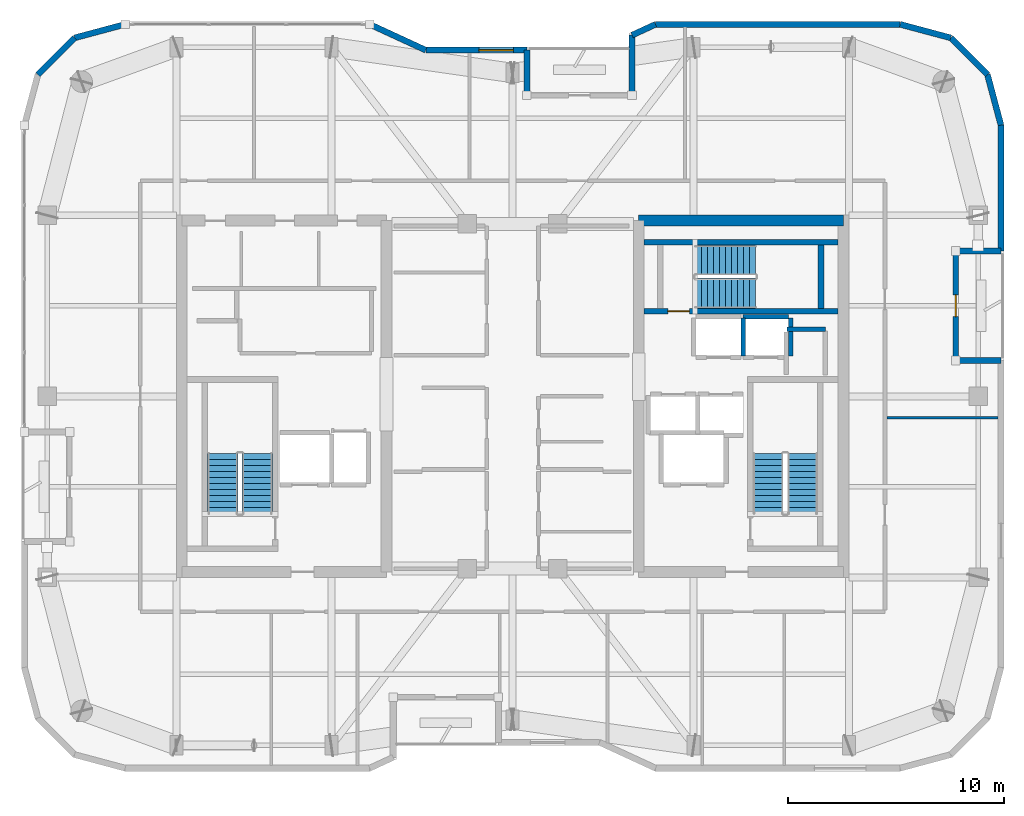
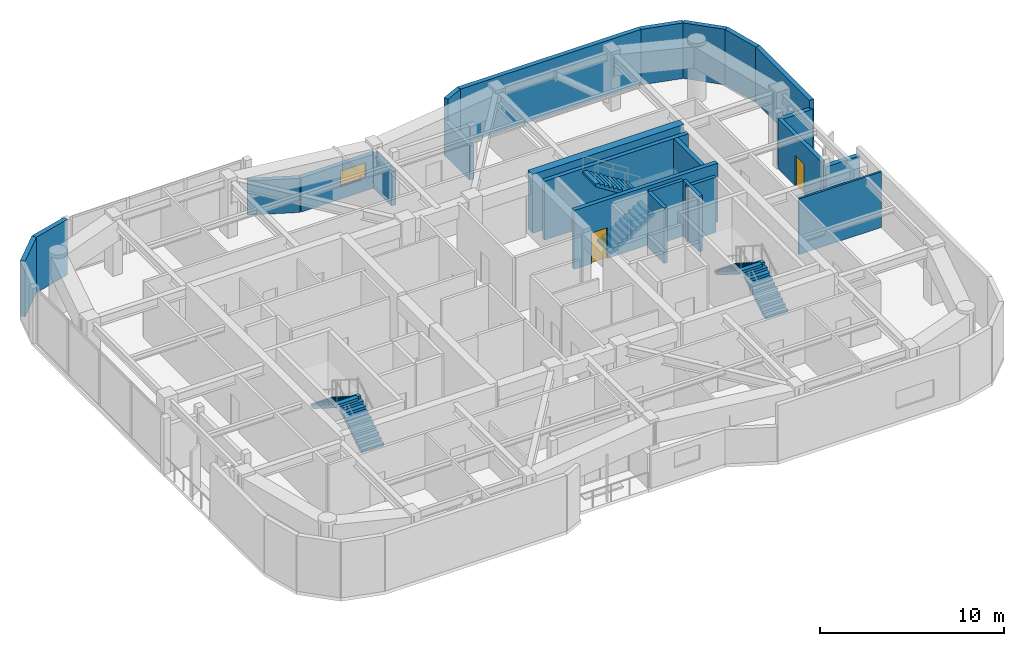
# One storey, part 13 of 15: 24 walls, 6 stair flights, 2 doors, 1 window, 3 openings, 3 elements without a shape of their own.
"""IFC4 building model written with IfcOpenShell, lengths in metres."""

from ifc_helpers import new_model, si_unit, direction, frame, frame_2d, origin, place, context, subcontext, project, spatial, polyline, rectangle, outline, extrude, material, layer, layer_set, type_object, element, fill, aggregate, save


model = new_model("IFC4")

# Units and contexts
model_context = context("Model", 3, precision=1e-05, world=origin(), true_north=direction((0.0, 1.0)))
body_context = subcontext(model_context, "Body", "Model", "MODEL_VIEW")
ifc_project = project(units=[si_unit("LENGTHUNIT", "METRE"), si_unit("AREAUNIT", "SQUARE_METRE"), si_unit("VOLUMEUNIT", "CUBIC_METRE"), si_unit("PLANEANGLEUNIT", "RADIAN"), si_unit("MASSUNIT", "GRAM", prefix="KILO")], contexts=[model_context])

# Site, building, storey
site_placement = place(None, origin())
site = spatial("IfcSite", under=ifc_project, at=site_placement, CompositionType="ELEMENT")
building_placement = place(site_placement, origin())
building = spatial("IfcBuilding", under=site, at=building_placement, Name="Kiyonajd Concourse Tower", CompositionType="ELEMENT")
storey_placement = place(building_placement, frame((0.0, 0.0, 318.0)))
storey = spatial("IfcBuildingStorey", under=building, at=storey_placement, Name="L80", CompositionType="ELEMENT", Elevation=318.0)

# Walls
ifc_material_1 = material(Name="Concrete C60/75", Category="concrete")
ifc_layer_1 = layer(ifc_material_1, 0.5)
ifc_layer_set_1 = layer_set([ifc_layer_1], Name="Concrete C60/75")
wall_type_1 = type_object("IfcWallType", Name="WL-CORE-500", PredefinedType="SHEAR", material=ifc_layer_set_1)
wall_1_placement = place(storey_placement, frame((53.85009765625, 44.14990234375, 0.0), z_axis=(0.0, 0.0, 1.0), x_axis=(1.0, 0.0, 0.0)))
element("IfcWall", 1, at=wall_1_placement, inside=storey, type_object=wall_type_1, Name="L80 East Core North Shear Wall", PredefinedType="SHEAR", context=body_context, shape_type="SweptSolid", body=[
    extrude(rectangle(XDim=9.5, YDim=0.5, at=frame_2d((4.75, 0.0))), origin(), (0.0, 0.0, 1.0), 3.89990234375),
])
ifc_material_2 = material(Name="Precast concrete C50/60", Category="concrete")
ifc_layer_2 = layer(ifc_material_2, 0.280029296875)
ifc_layer_set_2 = layer_set([ifc_layer_2], Name="Precast concrete C50/60")
wall_type_2 = type_object("IfcWallType", Name="WL-EXT-280", PredefinedType="SOLIDWALL", material=ifc_layer_set_2)
wall_2_placement = place(storey_placement, frame((25.968505859375, 50.927490234375, 0.0), z_axis=(0.0, 0.0, 1.0), x_axis=(0.707106781187, 0.707106781187, 0.0)))
element("IfcWall", 2, at=wall_2_placement, inside=storey, type_object=wall_type_2, Name="L80 Exterior Concrete Frame Wall 07", PredefinedType="SOLIDWALL", context=body_context, shape_type="SweptSolid", body=[
    extrude(rectangle(XDim=2.409912109375, YDim=0.280029296875, at=frame_2d((1.205078125, 0.0))), origin(), (0.0, 0.0, 1.0), 3.679931640625),
])
wall_3_placement = place(storey_placement, frame((27.672607421875, 52.631591796875, 0.0), z_axis=(0.0, 0.0, 1.0), x_axis=(0.965937282298, 0.25877628691, 0.0)))
element("IfcWall", 3, at=wall_3_placement, inside=storey, type_object=wall_type_2, Name="L80 Exterior Concrete Frame Wall 08", PredefinedType="SOLIDWALL", context=body_context, shape_type="SweptSolid", body=[
    extrude(rectangle(XDim=2.428466796875, YDim=0.280029296875, at=frame_2d((1.21435546875, 0.0))), origin(), (0.0, 0.0, 1.0), 3.679931640625),
])
wall_4_placement = place(storey_placement, frame((41.369384765625, 53.260009765625, 0.0), z_axis=(0.0, 0.0, 1.0), x_axis=(0.907956889006, -0.419063584324, 0.0)))
element("IfcWall", 4, at=wall_4_placement, inside=storey, type_object=wall_type_2, Name="L80 Exterior Concrete Frame Wall 10", PredefinedType="SOLIDWALL", context=body_context, shape_type="SweptSolid", body=[
    extrude(rectangle(XDim=2.863525390625, YDim=0.280029296875, at=frame_2d((1.431640625, 0.0))), origin(), (0.0, 0.0, 1.0), 2.264892578125),
])

# Wall, opening, window
wall_5_placement = place(storey_placement, frame((43.96923828125, 52.06005859375, 0.0), z_axis=(0.0, 0.0, 1.0), x_axis=(1.0, 0.0, 0.0)))
wall_5 = element("IfcWall", 5, at=wall_5_placement, inside=storey, type_object=wall_type_2, Name="L80 Exterior Concrete Frame Wall 11", PredefinedType="SOLIDWALL", context=body_context, shape_type="SweptSolid", body=[
    extrude(rectangle(XDim=4.690673828125, YDim=0.280029296875, at=frame_2d((2.34521484375, 0.0))), origin(), (0.0, 0.0, 1.0), 2.264892578125),
])
opening_1_placement = place(wall_5_placement, frame((2.466064453125, 0.0, 0.85009765625)))
opening_1 = element("IfcOpeningElement", 6, at=opening_1_placement, cuts=wall_5, Name="Opening WN6", PredefinedType="OPENING", context=body_context, shape_type="SweptSolid", body=[
    extrude(rectangle(XDim=1.60009765625, YDim=1.0, at=frame_2d((0.800048828125, 0.5))), frame((0.0, 0.14990234375, 0.0), z_axis=(0.0, -1.0, 0.0), x_axis=(1.0, 0.0, 0.0)), (0.0, 0.0, 1.0), 0.300048828125),
])
ifc_material_3 = material(Name="Double Low-E Insulated Glass", Category="glass")
window_type = type_object("IfcWindowType", Name="WN-VIS-1600x1000", PartitioningType="SINGLE_PANEL", PredefinedType="WINDOW", material=ifc_material_3)
window_placement = place(opening_1_placement, origin())
window = element("IfcWindow", 7, at=window_placement, inside=storey, type_object=window_type, Name="L80 Modular Facade Vision Window 11", OverallHeight=1.0, OverallWidth=1.60009765625, PartitioningType="SINGLE_PANEL", PredefinedType="WINDOW", context=body_context, shape_type="SweptSolid", body=[
    extrude(rectangle(XDim=1.60009765625, YDim=1.0, at=frame_2d((0.800048828125, 0.5))), frame((0.0, 0.030029296875, 0.0), z_axis=(0.0, -1.0, 0.0), x_axis=(1.0, 0.0, 0.0)), (0.0, 0.0, 1.0), 0.06005859375),
])
fill(opening_1, window)

# Walls
wall_6_placement = place(storey_placement, frame((48.659912109375, 52.06005859375, 0.0), z_axis=(0.0, 0.0, 1.0), x_axis=(0.0, -1.0, 0.0)))
element("IfcWall", 8, at=wall_6_placement, inside=storey, type_object=wall_type_2, Name="L80 Exterior Concrete Frame Wall 12", PredefinedType="SOLIDWALL", context=body_context, shape_type="SweptSolid", body=[
    extrude(rectangle(XDim=2.10009765625, YDim=0.280029296875, at=frame_2d((1.050048828125, 0.0))), origin(), (0.0, 0.0, 1.0), 2.264892578125),
])
wall_7_placement = place(storey_placement, frame((53.5400390625, 49.9599609375, 0.0), z_axis=(0.0, 0.0, 1.0), x_axis=(0.0, 1.0, 0.0)))
element("IfcWall", 9, at=wall_7_placement, inside=storey, type_object=wall_type_2, Name="L80 Exterior Concrete Frame Wall 14", PredefinedType="SOLIDWALL", context=body_context, shape_type="SweptSolid", body=[
    extrude(rectangle(XDim=2.79638671875, YDim=0.280029296875, at=frame_2d((1.398193359375, 0.0))), origin(), (0.0, 0.0, 1.0), 2.264892578125),
])
wall_8_placement = place(storey_placement, frame((53.5400390625, 52.75634765625, 0.0), z_axis=(0.0, 0.0, 1.0), x_axis=(0.907893953211, 0.419199916176, 0.0)))
element("IfcWall", 10, at=wall_8_placement, inside=storey, type_object=wall_type_2, Name="L80 Exterior Concrete Frame Wall 15", PredefinedType="SOLIDWALL", context=body_context, shape_type="SweptSolid", body=[
    extrude(rectangle(XDim=1.201416015625, YDim=0.280029296875, at=frame_2d((0.6005859375, 0.0))), origin(), (0.0, 0.0, 1.0), 3.679931640625),
])
wall_9_placement = place(storey_placement, frame((54.630859375, 53.260009765625, 0.0), z_axis=(0.0, 0.0, 1.0), x_axis=(1.0, 0.0, 0.0)))
element("IfcWall", 11, at=wall_9_placement, inside=storey, type_object=wall_type_2, Name="L80 Exterior Concrete Frame Wall 16", PredefinedType="SOLIDWALL", context=body_context, shape_type="SweptSolid", body=[
    extrude(rectangle(XDim=11.350830078125, YDim=0.280029296875, at=frame_2d((5.67529296875, 0.0))), origin(), (0.0, 0.0, 1.0), 3.679931640625),
])
wall_10_placement = place(storey_placement, frame((65.981689453125, 53.260009765625, 0.0), z_axis=(0.0, 0.0, 1.0), x_axis=(0.965937282298, -0.25877628691, 0.0)))
element("IfcWall", 12, at=wall_10_placement, inside=storey, type_object=wall_type_2, Name="L80 Exterior Concrete Frame Wall 17", PredefinedType="SOLIDWALL", context=body_context, shape_type="SweptSolid", body=[
    extrude(rectangle(XDim=2.428466796875, YDim=0.280029296875, at=frame_2d((1.21435546875, 0.0))), origin(), (0.0, 0.0, 1.0), 3.679931640625),
])
wall_11_placement = place(storey_placement, frame((68.327392578125, 52.631591796875, 0.0), z_axis=(0.0, 0.0, 1.0), x_axis=(0.707106781187, -0.707106781187, 0.0)))
element("IfcWall", 13, at=wall_11_placement, inside=storey, type_object=wall_type_2, Name="L80 Exterior Concrete Frame Wall 18", PredefinedType="SOLIDWALL", context=body_context, shape_type="SweptSolid", body=[
    extrude(rectangle(XDim=2.409912109375, YDim=0.280029296875, at=frame_2d((1.205078125, 0.0))), origin(), (0.0, 0.0, 1.0), 3.679931640625),
])
wall_12_placement = place(storey_placement, frame((70.031494140625, 50.927490234375, 0.0), z_axis=(0.0, 0.0, 1.0), x_axis=(0.258751159445, -0.965944013639, 0.0)))
element("IfcWall", 14, at=wall_12_placement, inside=storey, type_object=wall_type_2, Name="L80 Exterior Concrete Frame Wall 19", PredefinedType="SOLIDWALL", context=body_context, shape_type="SweptSolid", body=[
    extrude(rectangle(XDim=2.4287109375, YDim=0.280029296875, at=frame_2d((1.21435546875, 0.0))), origin(), (0.0, 0.0, 1.0), 3.679931640625),
])
wall_13_placement = place(storey_placement, frame((70.659912109375, 48.58154296875, 0.0), z_axis=(0.0, 0.0, 1.0), x_axis=(0.0, -1.0, 0.0)))
element("IfcWall", 15, at=wall_13_placement, inside=storey, type_object=wall_type_2, Name="L80 Exterior Concrete Frame Wall 20", PredefinedType="SOLIDWALL", context=body_context, shape_type="SweptSolid", body=[
    extrude(rectangle(XDim=5.841552734375, YDim=0.280029296875, at=frame_2d((2.9208984375, 0.0))), origin(), (0.0, 0.0, 1.0), 3.679931640625),
])
for number, where, z_axis, x_axis, name in (
    (16, (70.659912109375, 42.739990234375, 0.0), (0.0, 0.0, 1.0), (-1.0, 0.0, 0.0), "L80 Exterior Concrete Frame Wall 21"),
    (17, (68.56005859375, 37.659912109375, 0.0), (0.0, 0.0, 1.0), (1.0, 0.0, 0.0), "L80 Exterior Concrete Frame Wall 23"),
):
    element("IfcWall", number, at=place(storey_placement, frame(where, z_axis=z_axis, x_axis=x_axis)), inside=storey, type_object=wall_type_2, Name=name, PredefinedType="SOLIDWALL", context=body_context, shape_type="SweptSolid", body=[
        extrude(rectangle(XDim=2.099853515625, YDim=0.280029296875, at=frame_2d((1.0498046875, 0.0))), origin(), (0.0, 0.0, 1.0), 3.1259765625),
    ])

# Wall, opening, door
ifc_layer_3 = layer(ifc_material_2, 0.239990234375)
ifc_layer_set_3 = layer_set([ifc_layer_3], Name="Precast concrete C50/60")
wall_type_3 = type_object("IfcWallType", Name="WL-LOG-240", PredefinedType="SOLIDWALL", material=ifc_layer_set_3)
wall_14_placement = place(storey_placement, frame((68.56005859375, 42.544921875, 0.0), z_axis=(0.0, 0.0, 1.0), x_axis=(0.0, -1.0, 0.0)))
wall_14 = element("IfcWall", 18, at=wall_14_placement, inside=storey, type_object=wall_type_3, Name="L80 Recessed Loggia Thermal Wall LOG-E", PredefinedType="SOLIDWALL", context=body_context, shape_type="SweptSolid", body=[
    extrude(rectangle(XDim=4.68994140625, YDim=0.239990234375, at=frame_2d((2.344970703125, 0.0))), origin(), (0.0, 0.0, 1.0), 3.31103515625),
])
opening_2_placement = place(wall_14_placement, frame((1.844970703125, 0.0, 0.0)))
opening_2 = element("IfcOpeningElement", 19, at=opening_2_placement, cuts=wall_14, Name="Opening DL1", PredefinedType="OPENING", context=body_context, shape_type="SweptSolid", body=[
    extrude(rectangle(XDim=1.0, YDim=2.02001953125, at=frame_2d((0.5, 1.010009765625))), frame((0.0, 0.1298828125, 0.0), z_axis=(0.0, -1.0, 0.0), x_axis=(1.0, 0.0, 0.0)), (0.0, 0.0, 1.0), 0.260009765625),
])
ifc_material_4 = material(Name="Thermally Broken Anodised Aluminium", Category="aluminium")
door_type_1 = type_object("IfcDoorType", Name="DR-LOG-1000", OperationType="NOTDEFINED", PredefinedType="DOOR", material=ifc_material_4)
door_1_placement = place(opening_2_placement, origin())
door_1 = element("IfcDoor", 20, at=door_1_placement, inside=storey, type_object=door_type_1, Name="L80 Engawa Loggia Access Door LOG-E", OperationType="SINGLE_SWING_LEFT", OverallHeight=2.02001953125, OverallWidth=1.0, PredefinedType="DOOR", context=body_context, shape_type="SweptSolid", body=[
    extrude(rectangle(XDim=1.0, YDim=2.02001953125, at=frame_2d((0.5, 1.010009765625))), frame((0.0, 0.02490234375, 0.0), z_axis=(0.0, -1.0, 0.0), x_axis=(1.0, 0.0, 0.0)), (0.0, 0.0, 1.0), 0.050048828125),
])
fill(opening_2, door_1)

# Walls
ifc_material_5 = material(Name="Gypsum Board on Cold-Formed Steel Stud", Category="steel")
ifc_layer_4 = layer(ifc_material_5, 0.125)
ifc_layer_set_4 = layer_set([ifc_layer_4], Name="Gypsum Board on Cold-Formed Steel Stud")
wall_type_4 = type_object("IfcWallType", Name="WL-PART-125", PredefinedType="PARTITIONING", material=ifc_layer_set_4)
wall_15_placement = place(storey_placement, frame((65.362060546875, 35.0, 0.0), z_axis=(0.0, 0.0, 1.0), x_axis=(1.0, 0.0, 0.0)))
element("IfcWall", 21, at=wall_15_placement, inside=storey, type_object=wall_type_4, Name="L80 Interior Partition Wall", PredefinedType="PARTITIONING", context=body_context, shape_type="SweptSolid", body=[
    extrude(rectangle(XDim=5.162841796875, YDim=0.125, at=frame_2d((2.58154296875, 0.0))), origin(), (0.0, 0.0, 1.0), 3.679931640625),
])
ifc_layer_5 = layer(ifc_material_5, 0.2099609375)
ifc_layer_set_5 = layer_set([ifc_layer_5], Name="Gypsum Board on Cold-Formed Steel Stud")
wall_type_5 = type_object("IfcWallType", Name="WL-SHAFT-210", PredefinedType="PARTITIONING", material=ifc_layer_set_5)
wall_16_placement = place(storey_placement, frame((60.719970703125, 39.10009765625, 0.0), z_axis=(0.0, 0.0, 1.0), x_axis=(1.0, 0.0, 0.0)))
element("IfcWall", 22, at=wall_16_placement, inside=storey, type_object=wall_type_5, Name="L80 Shaft Enclosure Wall", PredefinedType="PARTITIONING", context=body_context, shape_type="SweptSolid", body=[
    extrude(rectangle(XDim=1.800048828125, YDim=0.2099609375, at=frame_2d((0.89990234375, 0.0))), origin(), (0.0, 0.0, 1.0), 3.679931640625),
])
wall_17_placement = place(storey_placement, frame((58.699951171875, 37.860107421875, 0.0), z_axis=(0.0, 0.0, 1.0), x_axis=(0.0, 1.0, 0.0)))
element("IfcWall", 23, at=wall_17_placement, inside=storey, type_object=wall_type_5, Name="L80 Shaft Enclosure Wall", PredefinedType="PARTITIONING", context=body_context, shape_type="SweptSolid", body=[
    extrude(rectangle(XDim=1.77978515625, YDim=0.2099609375, at=frame_2d((0.889892578125, 0.0))), origin(), (0.0, 0.0, 1.0), 3.679931640625),
])
wall_18_placement = place(storey_placement, frame((58.699951171875, 39.699951171875, 0.0), z_axis=(0.0, 0.0, 1.0), x_axis=(1.0, 0.0, 0.0)))
element("IfcWall", 24, at=wall_18_placement, inside=storey, type_object=wall_type_5, Name="L80 Shaft Enclosure Wall", PredefinedType="PARTITIONING", context=body_context, shape_type="SweptSolid", body=[
    extrude(rectangle(XDim=2.10009765625, YDim=0.2099609375, at=frame_2d((1.050048828125, 0.0))), origin(), (0.0, 0.0, 1.0), 3.679931640625),
])
wall_19_placement = place(storey_placement, frame((60.89990234375, 37.860107421875, 0.0), z_axis=(0.0, 0.0, 1.0), x_axis=(0.0, 1.0, 0.0)))
element("IfcWall", 25, at=wall_19_placement, inside=storey, type_object=wall_type_5, Name="L80 Shaft Enclosure Wall", PredefinedType="PARTITIONING", context=body_context, shape_type="SweptSolid", body=[
    extrude(rectangle(XDim=1.77978515625, YDim=0.2099609375, at=frame_2d((0.889892578125, 0.0))), origin(), (0.0, 0.0, 1.0), 3.679931640625),
])

# Wall, opening, door
ifc_material_6 = material(Name="Concrete C50/60", Category="concrete")
ifc_layer_6 = layer(ifc_material_6, 0.260009765625)
ifc_layer_set_6 = layer_set([ifc_layer_6], Name="Concrete C50/60")
wall_type_6 = type_object("IfcWallType", Name="WL-STAIR-260", PredefinedType="SHEAR", material=ifc_layer_set_6)
wall_20_placement = place(storey_placement, frame((54.10009765625, 39.949951171875, 0.0), z_axis=(0.0, 0.0, 1.0), x_axis=(1.0, 0.0, 0.0)))
wall_20 = element("IfcWall", 26, at=wall_20_placement, inside=storey, type_object=wall_type_6, Name="L80 Stair ST3 Structural South Wall", PredefinedType="SHEAR", context=body_context, shape_type="SweptSolid", body=[
    extrude(rectangle(XDim=9.0, YDim=0.260009765625, at=frame_2d((4.5, 0.0))), origin(), (0.0, 0.0, 1.0), 3.89990234375),
])
opening_3_placement = place(wall_20_placement, frame((1.10009765625, 0.0, 0.0)))
opening_3 = element("IfcOpeningElement", 27, at=opening_3_placement, cuts=wall_20, Name="Opening DF1", PredefinedType="OPENING", context=body_context, shape_type="SweptSolid", body=[
    extrude(rectangle(XDim=1.0, YDim=2.0400390625, at=frame_2d((0.5, 1.02001953125))), frame((0.0, 0.139892578125, 0.0), z_axis=(0.0, -1.0, 0.0), x_axis=(1.0, 0.0, 0.0)), (0.0, 0.0, 1.0), 0.280029296875),
])
ifc_material_7 = material(Name="Brushed Stainless Steel Cab Assembly", Category="steel")
door_type_2 = type_object("IfcDoorType", Name="DR-FD90-1000", OperationType="NOTDEFINED", PredefinedType="DOOR", material=ifc_material_7)
door_2_placement = place(opening_3_placement, origin())
door_2 = element("IfcDoor", 28, at=door_2_placement, inside=storey, type_object=door_type_2, Name="L80 Stair ST3 Enclosure Door", OperationType="SINGLE_SWING_LEFT", OverallHeight=2.0400390625, OverallWidth=1.0, PredefinedType="DOOR", context=body_context, shape_type="SweptSolid", body=[
    extrude(rectangle(XDim=1.0, YDim=2.0400390625, at=frame_2d((0.5, 1.02001953125))), frame((0.0, 0.02490234375, 0.0), z_axis=(0.0, -1.0, 0.0), x_axis=(1.0, 0.0, 0.0)), (0.0, 0.0, 1.0), 0.050048828125),
])
fill(opening_3, door_2)

# Walls
wall_21_placement = place(storey_placement, frame((54.10009765625, 43.14990234375, 0.0), z_axis=(0.0, 0.0, 1.0), x_axis=(1.0, 0.0, 0.0)))
element("IfcWall", 29, at=wall_21_placement, inside=storey, type_object=wall_type_6, Name="L80 Stair ST3 Structural North Wall", PredefinedType="SHEAR", context=body_context, shape_type="SweptSolid", body=[
    extrude(rectangle(XDim=9.0, YDim=0.260009765625, at=frame_2d((4.5, 0.0))), origin(), (0.0, 0.0, 1.0), 3.89990234375),
])
wall_22_placement = place(storey_placement, frame((62.31005859375, 40.080078125, 0.0), z_axis=(0.0, 0.0, 1.0), x_axis=(0.0, 1.0, 0.0)))
element("IfcWall", 30, at=wall_22_placement, inside=storey, type_object=wall_type_6, Name="L80 Stair ST3 Structural East Wall", PredefinedType="SHEAR", context=body_context, shape_type="SweptSolid", body=[
    extrude(rectangle(XDim=2.93994140625, YDim=0.260009765625, at=frame_2d((1.469970703125, 0.0))), origin(), (0.0, 0.0, 1.0), 3.89990234375),
])

# Stair, stair flights
ifc_material_8 = material(Name="Concrete C40/50", Category="concrete")
stair_type = type_object("IfcStairType", Name="ST-DLG-22R", PredefinedType="HALF_TURN_STAIR", material=ifc_material_8)
stair_1_placement = place(storey_placement, origin())
stair_1 = element("IfcStair", 31, at=stair_1_placement, inside=storey, type_object=stair_type, Name="L80 Protected Exit Stair ST1", PredefinedType="HALF_TURN_STAIR")
stair_flight_type = type_object("IfcStairFlightType", Name="SF-STR-22R", PredefinedType="STRAIGHT", material=ifc_material_8)
stair_flight_1_placement = place(storey_placement, frame((36.14990234375, 30.550048828125, 0.0), z_axis=(0.0, 0.0, 1.0), x_axis=(0.0, 1.0, 0.0)))
stair_flight_1 = element("IfcStairFlight", 32, at=stair_flight_1_placement, type_object=stair_flight_type, Name="ST1 flight 1", NumberOfRisers=11, NumberOfTreads=10, PredefinedType="STRAIGHT", RiserHeight=0.177272727, TreadLength=0.28, context=body_context, shape_type="SweptSolid", body=[
    extrude(outline(polyline([(0.0, 0.0), (0.0, 0.17724609375), (0.280029296875, 0.17724609375), (0.280029296875, 0.3544921875), (0.56005859375, 0.3544921875), (0.56005859375, 0.53173828125), (0.840087890625, 0.53173828125), (0.840087890625, 0.708984375), (1.1201171875, 0.708984375), (1.1201171875, 0.886474609375), (1.39990234375, 0.886474609375), (1.39990234375, 1.063720703125), (1.679931640625, 1.063720703125), (1.679931640625, 1.240966796875), (1.9599609375, 1.240966796875), (1.9599609375, 1.418212890625), (2.239990234375, 1.418212890625), (2.239990234375, 1.595458984375), (2.52001953125, 1.595458984375), (2.52001953125, 1.772705078125), (2.800048828125, 1.772705078125), (2.800048828125, 1.949951171875), (2.800048828125, 1.59521484375), (0.2802734375, 0.0), (0.0, 0.0)])), frame((0.0, 0.699951171875, 0.0), z_axis=(0.0, -1.0, 0.0), x_axis=(1.0, 0.0, 0.0)), (0.0, 0.0, 1.0), 1.39990234375),
])
stair_flight_2_placement = place(storey_placement, frame((34.550048828125, 33.35009765625, 1.949951171875), z_axis=(0.0, 0.0, 1.0), x_axis=(0.0, -1.0, 0.0)))
stair_flight_2 = element("IfcStairFlight", 33, at=stair_flight_2_placement, type_object=stair_flight_type, Name="ST1 flight 2", NumberOfRisers=11, NumberOfTreads=10, PredefinedType="STRAIGHT", RiserHeight=0.177272727, TreadLength=0.28, context=body_context, shape_type="SweptSolid", body=[
    extrude(outline(polyline([(0.0, 0.0), (0.0, 0.17724609375), (0.280029296875, 0.17724609375), (0.280029296875, 0.3544921875), (0.56005859375, 0.3544921875), (0.56005859375, 0.53173828125), (0.840087890625, 0.53173828125), (0.840087890625, 0.708984375), (1.1201171875, 0.708984375), (1.1201171875, 0.886474609375), (1.39990234375, 0.886474609375), (1.39990234375, 1.063720703125), (1.679931640625, 1.063720703125), (1.679931640625, 1.240966796875), (1.9599609375, 1.240966796875), (1.9599609375, 1.418212890625), (2.239990234375, 1.418212890625), (2.239990234375, 1.595458984375), (2.52001953125, 1.595458984375), (2.52001953125, 1.772705078125), (2.800048828125, 1.772705078125), (2.800048828125, 1.949951171875), (2.800048828125, 1.59521484375), (0.2802734375, 0.0), (0.0, 0.0)])), frame((0.0, 0.699951171875, 0.0), z_axis=(0.0, -1.0, 0.0), x_axis=(1.0, 0.0, 0.0)), (0.0, 0.0, 1.0), 1.39990234375),
])
aggregate(stair_1, [stair_flight_1, stair_flight_2])

stair_2_placement = place(storey_placement, origin())
stair_2 = element("IfcStair", 34, at=stair_2_placement, inside=storey, type_object=stair_type, Name="L80 Protected Exit Stair ST2", PredefinedType="HALF_TURN_STAIR")
stair_flight_3_placement = place(storey_placement, frame((61.449951171875, 30.550048828125, 0.0), z_axis=(0.0, 0.0, 1.0), x_axis=(0.0, 1.0, 0.0)))
stair_flight_3 = element("IfcStairFlight", 35, at=stair_flight_3_placement, type_object=stair_flight_type, Name="ST2 flight 1", NumberOfRisers=11, NumberOfTreads=10, PredefinedType="STRAIGHT", RiserHeight=0.177272727, TreadLength=0.28, context=body_context, shape_type="SweptSolid", body=[
    extrude(outline(polyline([(0.0, 0.0), (0.0, 0.17724609375), (0.280029296875, 0.17724609375), (0.280029296875, 0.3544921875), (0.56005859375, 0.3544921875), (0.56005859375, 0.53173828125), (0.840087890625, 0.53173828125), (0.840087890625, 0.708984375), (1.1201171875, 0.708984375), (1.1201171875, 0.886474609375), (1.39990234375, 0.886474609375), (1.39990234375, 1.063720703125), (1.679931640625, 1.063720703125), (1.679931640625, 1.240966796875), (1.9599609375, 1.240966796875), (1.9599609375, 1.418212890625), (2.239990234375, 1.418212890625), (2.239990234375, 1.595458984375), (2.52001953125, 1.595458984375), (2.52001953125, 1.772705078125), (2.800048828125, 1.772705078125), (2.800048828125, 1.949951171875), (2.800048828125, 1.59521484375), (0.2802734375, 0.0), (0.0, 0.0)])), frame((0.0, 0.699951171875, 0.0), z_axis=(0.0, -1.0, 0.0), x_axis=(1.0, 0.0, 0.0)), (0.0, 0.0, 1.0), 1.39990234375),
])
stair_flight_4_placement = place(storey_placement, frame((59.85009765625, 33.35009765625, 1.949951171875), z_axis=(0.0, 0.0, 1.0), x_axis=(0.0, -1.0, 0.0)))
stair_flight_4 = element("IfcStairFlight", 36, at=stair_flight_4_placement, type_object=stair_flight_type, Name="ST2 flight 2", NumberOfRisers=11, NumberOfTreads=10, PredefinedType="STRAIGHT", RiserHeight=0.177272727, TreadLength=0.28, context=body_context, shape_type="SweptSolid", body=[
    extrude(outline(polyline([(0.0, 0.0), (0.0, 0.17724609375), (0.280029296875, 0.17724609375), (0.280029296875, 0.3544921875), (0.56005859375, 0.3544921875), (0.56005859375, 0.53173828125), (0.840087890625, 0.53173828125), (0.840087890625, 0.708984375), (1.1201171875, 0.708984375), (1.1201171875, 0.886474609375), (1.39990234375, 0.886474609375), (1.39990234375, 1.063720703125), (1.679931640625, 1.063720703125), (1.679931640625, 1.240966796875), (1.9599609375, 1.240966796875), (1.9599609375, 1.418212890625), (2.239990234375, 1.418212890625), (2.239990234375, 1.595458984375), (2.52001953125, 1.595458984375), (2.52001953125, 1.772705078125), (2.800048828125, 1.772705078125), (2.800048828125, 1.949951171875), (2.800048828125, 1.59521484375), (0.2802734375, 0.0), (0.0, 0.0)])), frame((0.0, 0.699951171875, 0.0), z_axis=(0.0, -1.0, 0.0), x_axis=(1.0, 0.0, 0.0)), (0.0, 0.0, 1.0), 1.39990234375),
])
aggregate(stair_2, [stair_flight_3, stair_flight_4])

stair_3_placement = place(storey_placement, origin())
stair_3 = element("IfcStair", 37, at=stair_3_placement, inside=storey, type_object=stair_type, Name="L80 Protected Exit Stair ST3", PredefinedType="HALF_TURN_STAIR")
stair_flight_5_placement = place(storey_placement, frame((56.47998046875, 40.780029296875, 0.0), z_axis=(0.0, 0.0, 1.0), x_axis=(1.0, 0.0, 0.0)))
stair_flight_5 = element("IfcStairFlight", 38, at=stair_flight_5_placement, type_object=stair_flight_type, Name="ST3 flight 1", NumberOfRisers=11, NumberOfTreads=10, PredefinedType="STRAIGHT", RiserHeight=0.177272727, TreadLength=0.28, context=body_context, shape_type="SweptSolid", body=[
    extrude(outline(polyline([(0.0, 0.0), (0.0, 0.17724609375), (0.280029296875, 0.17724609375), (0.280029296875, 0.3544921875), (0.56005859375, 0.3544921875), (0.56005859375, 0.53173828125), (0.840087890625, 0.53173828125), (0.840087890625, 0.708984375), (1.1201171875, 0.708984375), (1.1201171875, 0.886474609375), (1.39990234375, 0.886474609375), (1.39990234375, 1.063720703125), (1.679931640625, 1.063720703125), (1.679931640625, 1.240966796875), (1.9599609375, 1.240966796875), (1.9599609375, 1.418212890625), (2.239990234375, 1.418212890625), (2.239990234375, 1.595458984375), (2.52001953125, 1.595458984375), (2.52001953125, 1.772705078125), (2.800048828125, 1.772705078125), (2.800048828125, 1.949951171875), (2.800048828125, 1.59521484375), (0.2802734375, 0.0), (0.0, 0.0)])), frame((0.0, 0.699951171875, 0.0), z_axis=(0.0, -1.0, 0.0), x_axis=(1.0, 0.0, 0.0)), (0.0, 0.0, 1.0), 1.39990234375),
])
stair_flight_6_placement = place(storey_placement, frame((59.280029296875, 42.320068359375, 1.949951171875), z_axis=(0.0, 0.0, 1.0), x_axis=(-1.0, 0.0, 0.0)))
stair_flight_6 = element("IfcStairFlight", 39, at=stair_flight_6_placement, type_object=stair_flight_type, Name="ST3 flight 2", NumberOfRisers=11, NumberOfTreads=10, PredefinedType="STRAIGHT", RiserHeight=0.177272727, TreadLength=0.28, context=body_context, shape_type="SweptSolid", body=[
    extrude(outline(polyline([(0.0, 0.0), (0.0, 0.17724609375), (0.280029296875, 0.17724609375), (0.280029296875, 0.3544921875), (0.56005859375, 0.3544921875), (0.56005859375, 0.53173828125), (0.840087890625, 0.53173828125), (0.840087890625, 0.708984375), (1.1201171875, 0.708984375), (1.1201171875, 0.886474609375), (1.39990234375, 0.886474609375), (1.39990234375, 1.063720703125), (1.679931640625, 1.063720703125), (1.679931640625, 1.240966796875), (1.9599609375, 1.240966796875), (1.9599609375, 1.418212890625), (2.239990234375, 1.418212890625), (2.239990234375, 1.595458984375), (2.52001953125, 1.595458984375), (2.52001953125, 1.772705078125), (2.800048828125, 1.772705078125), (2.800048828125, 1.949951171875), (2.800048828125, 1.59521484375), (0.2802734375, 0.0), (0.0, 0.0)])), frame((0.0, 0.699951171875, 0.0), z_axis=(0.0, -1.0, 0.0), x_axis=(1.0, 0.0, 0.0)), (0.0, 0.0, 1.0), 1.39990234375),
])
aggregate(stair_3, [stair_flight_5, stair_flight_6])

save(model, "model.ifc")
